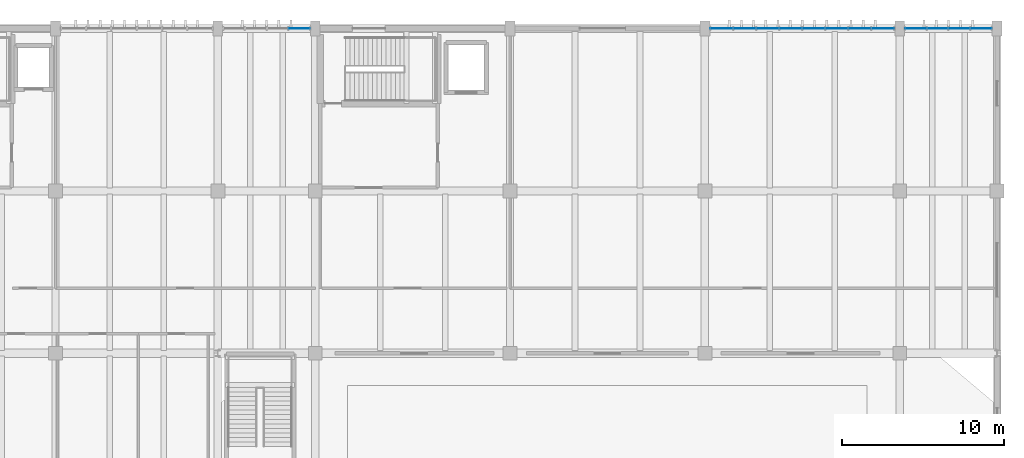
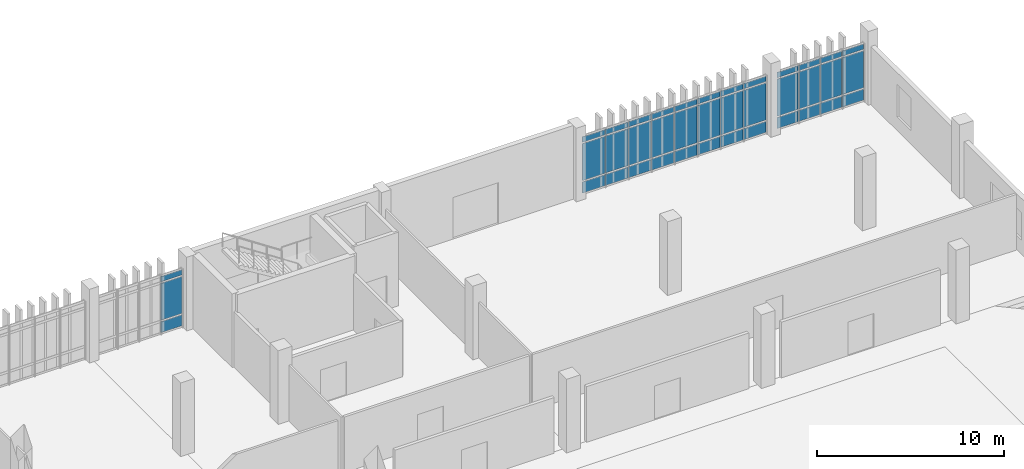
# One storey, part 68 of 87: 39 plates, 3 elements without a shape of their own.
"""IFC4 building model written with IfcOpenShell, lengths in metres."""

from ifc_helpers import new_model, si_unit, direction, frame, origin, origin_2d, place, context, subcontext, project, spatial, rectangle, extrude, material, layer, layer_set, type_object, element, aggregate, save


model = new_model("IFC4")

# Units and contexts
model_context = context("Model", 3, precision=1e-05, world=origin(), true_north=direction((0.0, 1.0)))
body_context = subcontext(model_context, "Body", "Model", "MODEL_VIEW")
ifc_project = project(units=[si_unit("LENGTHUNIT", "METRE"), si_unit("AREAUNIT", "SQUARE_METRE"), si_unit("VOLUMEUNIT", "CUBIC_METRE"), si_unit("PLANEANGLEUNIT", "RADIAN"), si_unit("MASSUNIT", "GRAM", prefix="KILO")], contexts=[model_context])

# Site, building, storey
site_placement = place(None, origin())
site = spatial("IfcSite", under=ifc_project, at=site_placement, CompositionType="ELEMENT")
building_placement = place(site_placement, origin())
building = spatial("IfcBuilding", under=site, at=building_placement, Name="Mersad Railyard Sports Hall", CompositionType="ELEMENT")
storey_placement = place(building_placement, origin())
storey = spatial("IfcBuildingStorey", under=building, at=storey_placement, Name="L00", CompositionType="ELEMENT", Elevation=0.0)

# Curtain wall, plates
ifc_material_1 = material(Name="Aluminium 6063-T6", Category="aluminium")
ifc_layer_1 = layer(ifc_material_1, 0.199951171875)
ifc_layer_set_1 = layer_set([ifc_layer_1], Name="Aluminium 6063-T6")
curtain_wall_type_1 = type_object("IfcCurtainWallType", Name="ARC-CW-CW30", PredefinedType="USERDEFINED", material=ifc_layer_set_1)
curtain_wall_1_placement = place(storey_placement, origin())
curtain_wall_1 = element("IfcCurtainWall", 1, at=curtain_wall_1_placement, inside=storey, type_object=curtain_wall_type_1, Name="Curtain wall CW30-0087", ObjectType="CURTAIN WALL", PredefinedType="USERDEFINED")
ifc_material_2 = material(Name="Solar-control glass", Category="glass")
ifc_layer_2 = layer(ifc_material_2, 0.028076171875)
ifc_layer_set_2 = layer_set([ifc_layer_2], Name="Solar-control glass")
plate_type = type_object("IfcPlateType", Name="ARC-CW-PNL01", PredefinedType="CURTAIN_PANEL", material=ifc_layer_set_2)
plate_1_placement = place(storey_placement, frame((136.010009765625, 115.0, 0.0849609375), z_axis=(0.0, 0.0, 1.0), x_axis=(1.0, 0.0, 0.0)))
plate_1 = element("IfcPlate", 2, at=plate_1_placement, type_object=plate_type, Name="CW30 Glazed panel 4-1", PredefinedType="CURTAIN_PANEL", context=body_context, shape_type="SweptSolid", body=[
    extrude(rectangle(XDim=1.2958984375, YDim=0.028076171875, at=origin_2d()), origin(), (0.0, 0.0, 1.0), 0.719970703125),
])
plate_2_placement = place(storey_placement, frame((136.010009765625, 115.0, 0.89501953125), z_axis=(0.0, 0.0, 1.0), x_axis=(1.0, 0.0, 0.0)))
plate_2 = element("IfcPlate", 3, at=plate_2_placement, type_object=plate_type, Name="CW30 Glazed panel 4-2", PredefinedType="CURTAIN_PANEL", context=body_context, shape_type="SweptSolid", body=[
    extrude(rectangle(XDim=1.2958984375, YDim=0.028076171875, at=origin_2d()), origin(), (0.0, 0.0, 1.0), 2.409912109375),
])
plate_3_placement = place(storey_placement, frame((136.010009765625, 115.0, 3.39501953125), z_axis=(0.0, 0.0, 1.0), x_axis=(1.0, 0.0, 0.0)))
plate_3 = element("IfcPlate", 4, at=plate_3_placement, type_object=plate_type, Name="CW30 Glazed panel 4-3", PredefinedType="CURTAIN_PANEL", context=body_context, shape_type="SweptSolid", body=[
    extrude(rectangle(XDim=1.2958984375, YDim=0.028076171875, at=origin_2d()), origin(), (0.0, 0.0, 1.0), 0.35009765625),
])
aggregate(curtain_wall_1, [plate_1, plate_2, plate_3])

ifc_layer_3 = layer(ifc_material_1, 0.199951171875)
ifc_layer_set_3 = layer_set([ifc_layer_3], Name="Aluminium 6063-T6")
curtain_wall_type_2 = type_object("IfcCurtainWallType", Name="ARC-CW-CW28", PredefinedType="USERDEFINED", material=ifc_layer_set_3)
curtain_wall_2_placement = place(storey_placement, origin())
curtain_wall_2 = element("IfcCurtainWall", 5, at=curtain_wall_2_placement, inside=storey, type_object=curtain_wall_type_2, Name="Curtain wall CW28-0088", ObjectType="CURTAIN WALL", PredefinedType="USERDEFINED")
plate_4_placement = place(storey_placement, frame((162.030029296875, 115.0, 0.0849609375), z_axis=(0.0, 0.0, 1.0), x_axis=(1.0, 0.0, 0.0)))
plate_4 = element("IfcPlate", 6, at=plate_4_placement, type_object=plate_type, Name="CW28 Glazed panel 1-1", PredefinedType="CURTAIN_PANEL", context=body_context, shape_type="SweptSolid", body=[
    extrude(rectangle(XDim=1.3759765625, YDim=0.028076171875, at=origin_2d()), origin(), (0.0, 0.0, 1.0), 0.719970703125),
])
plate_5_placement = place(storey_placement, frame((162.030029296875, 115.0, 0.89501953125), z_axis=(0.0, 0.0, 1.0), x_axis=(1.0, 0.0, 0.0)))
plate_5 = element("IfcPlate", 7, at=plate_5_placement, type_object=plate_type, Name="CW28 Glazed panel 1-2", PredefinedType="CURTAIN_PANEL", context=body_context, shape_type="SweptSolid", body=[
    extrude(rectangle(XDim=1.3759765625, YDim=0.028076171875, at=origin_2d()), origin(), (0.0, 0.0, 1.0), 2.409912109375),
])
plate_6_placement = place(storey_placement, frame((162.030029296875, 115.0, 3.39501953125), z_axis=(0.0, 0.0, 1.0), x_axis=(1.0, 0.0, 0.0)))
plate_6 = element("IfcPlate", 8, at=plate_6_placement, type_object=plate_type, Name="CW28 Glazed panel 1-3", PredefinedType="CURTAIN_PANEL", context=body_context, shape_type="SweptSolid", body=[
    extrude(rectangle(XDim=1.3759765625, YDim=0.028076171875, at=origin_2d()), origin(), (0.0, 0.0, 1.0), 0.35009765625),
])
plate_7_placement = place(storey_placement, frame((163.449951171875, 115.0, 0.0849609375), z_axis=(0.0, 0.0, 1.0), x_axis=(1.0, 0.0, 0.0)))
plate_7 = element("IfcPlate", 9, at=plate_7_placement, type_object=plate_type, Name="CW28 Glazed panel 2-1", PredefinedType="CURTAIN_PANEL", context=body_context, shape_type="SweptSolid", body=[
    extrude(rectangle(XDim=1.3759765625, YDim=0.028076171875, at=origin_2d()), origin(), (0.0, 0.0, 1.0), 0.719970703125),
])
plate_8_placement = place(storey_placement, frame((163.449951171875, 115.0, 0.89501953125), z_axis=(0.0, 0.0, 1.0), x_axis=(1.0, 0.0, 0.0)))
plate_8 = element("IfcPlate", 10, at=plate_8_placement, type_object=plate_type, Name="CW28 Glazed panel 2-2", PredefinedType="CURTAIN_PANEL", context=body_context, shape_type="SweptSolid", body=[
    extrude(rectangle(XDim=1.3759765625, YDim=0.028076171875, at=origin_2d()), origin(), (0.0, 0.0, 1.0), 2.409912109375),
])
plate_9_placement = place(storey_placement, frame((163.449951171875, 115.0, 3.39501953125), z_axis=(0.0, 0.0, 1.0), x_axis=(1.0, 0.0, 0.0)))
plate_9 = element("IfcPlate", 11, at=plate_9_placement, type_object=plate_type, Name="CW28 Glazed panel 2-3", PredefinedType="CURTAIN_PANEL", context=body_context, shape_type="SweptSolid", body=[
    extrude(rectangle(XDim=1.3759765625, YDim=0.028076171875, at=origin_2d()), origin(), (0.0, 0.0, 1.0), 0.35009765625),
])
plate_10_placement = place(storey_placement, frame((164.8701171875, 115.0, 0.0849609375), z_axis=(0.0, 0.0, 1.0), x_axis=(1.0, 0.0, 0.0)))
plate_10 = element("IfcPlate", 12, at=plate_10_placement, type_object=plate_type, Name="CW28 Glazed panel 3-1", PredefinedType="CURTAIN_PANEL", context=body_context, shape_type="SweptSolid", body=[
    extrude(rectangle(XDim=1.3759765625, YDim=0.028076171875, at=origin_2d()), origin(), (0.0, 0.0, 1.0), 0.719970703125),
])
plate_11_placement = place(storey_placement, frame((164.8701171875, 115.0, 0.89501953125), z_axis=(0.0, 0.0, 1.0), x_axis=(1.0, 0.0, 0.0)))
plate_11 = element("IfcPlate", 13, at=plate_11_placement, type_object=plate_type, Name="CW28 Glazed panel 3-2", PredefinedType="CURTAIN_PANEL", context=body_context, shape_type="SweptSolid", body=[
    extrude(rectangle(XDim=1.3759765625, YDim=0.028076171875, at=origin_2d()), origin(), (0.0, 0.0, 1.0), 2.409912109375),
])
plate_12_placement = place(storey_placement, frame((164.8701171875, 115.0, 3.39501953125), z_axis=(0.0, 0.0, 1.0), x_axis=(1.0, 0.0, 0.0)))
plate_12 = element("IfcPlate", 14, at=plate_12_placement, type_object=plate_type, Name="CW28 Glazed panel 3-3", PredefinedType="CURTAIN_PANEL", context=body_context, shape_type="SweptSolid", body=[
    extrude(rectangle(XDim=1.3759765625, YDim=0.028076171875, at=origin_2d()), origin(), (0.0, 0.0, 1.0), 0.35009765625),
])
plate_13_placement = place(storey_placement, frame((166.2900390625, 115.0, 0.0849609375), z_axis=(0.0, 0.0, 1.0), x_axis=(1.0, 0.0, 0.0)))
plate_13 = element("IfcPlate", 15, at=plate_13_placement, type_object=plate_type, Name="CW28 Glazed panel 4-1", PredefinedType="CURTAIN_PANEL", context=body_context, shape_type="SweptSolid", body=[
    extrude(rectangle(XDim=1.3759765625, YDim=0.028076171875, at=origin_2d()), origin(), (0.0, 0.0, 1.0), 0.719970703125),
])
plate_14_placement = place(storey_placement, frame((166.2900390625, 115.0, 0.89501953125), z_axis=(0.0, 0.0, 1.0), x_axis=(1.0, 0.0, 0.0)))
plate_14 = element("IfcPlate", 16, at=plate_14_placement, type_object=plate_type, Name="CW28 Glazed panel 4-2", PredefinedType="CURTAIN_PANEL", context=body_context, shape_type="SweptSolid", body=[
    extrude(rectangle(XDim=1.3759765625, YDim=0.028076171875, at=origin_2d()), origin(), (0.0, 0.0, 1.0), 2.409912109375),
])
plate_15_placement = place(storey_placement, frame((166.2900390625, 115.0, 3.39501953125), z_axis=(0.0, 0.0, 1.0), x_axis=(1.0, 0.0, 0.0)))
plate_15 = element("IfcPlate", 17, at=plate_15_placement, type_object=plate_type, Name="CW28 Glazed panel 4-3", PredefinedType="CURTAIN_PANEL", context=body_context, shape_type="SweptSolid", body=[
    extrude(rectangle(XDim=1.3759765625, YDim=0.028076171875, at=origin_2d()), origin(), (0.0, 0.0, 1.0), 0.35009765625),
])
plate_16_placement = place(storey_placement, frame((167.7099609375, 115.0, 0.0849609375), z_axis=(0.0, 0.0, 1.0), x_axis=(1.0, 0.0, 0.0)))
plate_16 = element("IfcPlate", 18, at=plate_16_placement, type_object=plate_type, Name="CW28 Glazed panel 5-1", PredefinedType="CURTAIN_PANEL", context=body_context, shape_type="SweptSolid", body=[
    extrude(rectangle(XDim=1.3759765625, YDim=0.028076171875, at=origin_2d()), origin(), (0.0, 0.0, 1.0), 0.719970703125),
])
plate_17_placement = place(storey_placement, frame((167.7099609375, 115.0, 0.89501953125), z_axis=(0.0, 0.0, 1.0), x_axis=(1.0, 0.0, 0.0)))
plate_17 = element("IfcPlate", 19, at=plate_17_placement, type_object=plate_type, Name="CW28 Glazed panel 5-2", PredefinedType="CURTAIN_PANEL", context=body_context, shape_type="SweptSolid", body=[
    extrude(rectangle(XDim=1.3759765625, YDim=0.028076171875, at=origin_2d()), origin(), (0.0, 0.0, 1.0), 2.409912109375),
])
plate_18_placement = place(storey_placement, frame((167.7099609375, 115.0, 3.39501953125), z_axis=(0.0, 0.0, 1.0), x_axis=(1.0, 0.0, 0.0)))
plate_18 = element("IfcPlate", 20, at=plate_18_placement, type_object=plate_type, Name="CW28 Glazed panel 5-3", PredefinedType="CURTAIN_PANEL", context=body_context, shape_type="SweptSolid", body=[
    extrude(rectangle(XDim=1.3759765625, YDim=0.028076171875, at=origin_2d()), origin(), (0.0, 0.0, 1.0), 0.35009765625),
])
plate_19_placement = place(storey_placement, frame((169.1298828125, 115.0, 0.0849609375), z_axis=(0.0, 0.0, 1.0), x_axis=(1.0, 0.0, 0.0)))
plate_19 = element("IfcPlate", 21, at=plate_19_placement, type_object=plate_type, Name="CW28 Glazed panel 6-1", PredefinedType="CURTAIN_PANEL", context=body_context, shape_type="SweptSolid", body=[
    extrude(rectangle(XDim=1.3759765625, YDim=0.028076171875, at=origin_2d()), origin(), (0.0, 0.0, 1.0), 0.719970703125),
])
plate_20_placement = place(storey_placement, frame((169.1298828125, 115.0, 0.89501953125), z_axis=(0.0, 0.0, 1.0), x_axis=(1.0, 0.0, 0.0)))
plate_20 = element("IfcPlate", 22, at=plate_20_placement, type_object=plate_type, Name="CW28 Glazed panel 6-2", PredefinedType="CURTAIN_PANEL", context=body_context, shape_type="SweptSolid", body=[
    extrude(rectangle(XDim=1.3759765625, YDim=0.028076171875, at=origin_2d()), origin(), (0.0, 0.0, 1.0), 2.409912109375),
])
plate_21_placement = place(storey_placement, frame((169.1298828125, 115.0, 3.39501953125), z_axis=(0.0, 0.0, 1.0), x_axis=(1.0, 0.0, 0.0)))
plate_21 = element("IfcPlate", 23, at=plate_21_placement, type_object=plate_type, Name="CW28 Glazed panel 6-3", PredefinedType="CURTAIN_PANEL", context=body_context, shape_type="SweptSolid", body=[
    extrude(rectangle(XDim=1.3759765625, YDim=0.028076171875, at=origin_2d()), origin(), (0.0, 0.0, 1.0), 0.35009765625),
])
plate_22_placement = place(storey_placement, frame((170.550048828125, 115.0, 0.0849609375), z_axis=(0.0, 0.0, 1.0), x_axis=(1.0, 0.0, 0.0)))
plate_22 = element("IfcPlate", 24, at=plate_22_placement, type_object=plate_type, Name="CW28 Glazed panel 7-1", PredefinedType="CURTAIN_PANEL", context=body_context, shape_type="SweptSolid", body=[
    extrude(rectangle(XDim=1.3759765625, YDim=0.028076171875, at=origin_2d()), origin(), (0.0, 0.0, 1.0), 0.719970703125),
])
plate_23_placement = place(storey_placement, frame((170.550048828125, 115.0, 0.89501953125), z_axis=(0.0, 0.0, 1.0), x_axis=(1.0, 0.0, 0.0)))
plate_23 = element("IfcPlate", 25, at=plate_23_placement, type_object=plate_type, Name="CW28 Glazed panel 7-2", PredefinedType="CURTAIN_PANEL", context=body_context, shape_type="SweptSolid", body=[
    extrude(rectangle(XDim=1.3759765625, YDim=0.028076171875, at=origin_2d()), origin(), (0.0, 0.0, 1.0), 2.409912109375),
])
plate_24_placement = place(storey_placement, frame((170.550048828125, 115.0, 3.39501953125), z_axis=(0.0, 0.0, 1.0), x_axis=(1.0, 0.0, 0.0)))
plate_24 = element("IfcPlate", 26, at=plate_24_placement, type_object=plate_type, Name="CW28 Glazed panel 7-3", PredefinedType="CURTAIN_PANEL", context=body_context, shape_type="SweptSolid", body=[
    extrude(rectangle(XDim=1.3759765625, YDim=0.028076171875, at=origin_2d()), origin(), (0.0, 0.0, 1.0), 0.35009765625),
])
plate_25_placement = place(storey_placement, frame((171.969970703125, 115.0, 0.0849609375), z_axis=(0.0, 0.0, 1.0), x_axis=(1.0, 0.0, 0.0)))
plate_25 = element("IfcPlate", 27, at=plate_25_placement, type_object=plate_type, Name="CW28 Glazed panel 8-1", PredefinedType="CURTAIN_PANEL", context=body_context, shape_type="SweptSolid", body=[
    extrude(rectangle(XDim=1.3759765625, YDim=0.028076171875, at=origin_2d()), origin(), (0.0, 0.0, 1.0), 0.719970703125),
])
plate_26_placement = place(storey_placement, frame((171.969970703125, 115.0, 0.89501953125), z_axis=(0.0, 0.0, 1.0), x_axis=(1.0, 0.0, 0.0)))
plate_26 = element("IfcPlate", 28, at=plate_26_placement, type_object=plate_type, Name="CW28 Glazed panel 8-2", PredefinedType="CURTAIN_PANEL", context=body_context, shape_type="SweptSolid", body=[
    extrude(rectangle(XDim=1.3759765625, YDim=0.028076171875, at=origin_2d()), origin(), (0.0, 0.0, 1.0), 2.409912109375),
])
plate_27_placement = place(storey_placement, frame((171.969970703125, 115.0, 3.39501953125), z_axis=(0.0, 0.0, 1.0), x_axis=(1.0, 0.0, 0.0)))
plate_27 = element("IfcPlate", 29, at=plate_27_placement, type_object=plate_type, Name="CW28 Glazed panel 8-3", PredefinedType="CURTAIN_PANEL", context=body_context, shape_type="SweptSolid", body=[
    extrude(rectangle(XDim=1.3759765625, YDim=0.028076171875, at=origin_2d()), origin(), (0.0, 0.0, 1.0), 0.35009765625),
])
aggregate(curtain_wall_2, [plate_4, plate_5, plate_6, plate_7, plate_8, plate_9, plate_10, plate_11, plate_12, plate_13, plate_14, plate_15, plate_16, plate_17, plate_18, plate_19, plate_20, plate_21, plate_22, plate_23, plate_24, plate_25, plate_26, plate_27])

curtain_wall_3_placement = place(storey_placement, origin())
curtain_wall_3 = element("IfcCurtainWall", 30, at=curtain_wall_3_placement, inside=storey, type_object=curtain_wall_type_1, Name="Curtain wall CW30-0089", ObjectType="CURTAIN WALL", PredefinedType="USERDEFINED")
plate_28_placement = place(storey_placement, frame((173.989990234375, 115.0, 0.0849609375), z_axis=(0.0, 0.0, 1.0), x_axis=(1.0, 0.0, 0.0)))
plate_28 = element("IfcPlate", 31, at=plate_28_placement, type_object=plate_type, Name="CW30 Glazed panel 1-1", PredefinedType="CURTAIN_PANEL", context=body_context, shape_type="SweptSolid", body=[
    extrude(rectangle(XDim=1.2958984375, YDim=0.028076171875, at=origin_2d()), origin(), (0.0, 0.0, 1.0), 0.719970703125),
])
plate_29_placement = place(storey_placement, frame((173.989990234375, 115.0, 0.89501953125), z_axis=(0.0, 0.0, 1.0), x_axis=(1.0, 0.0, 0.0)))
plate_29 = element("IfcPlate", 32, at=plate_29_placement, type_object=plate_type, Name="CW30 Glazed panel 1-2", PredefinedType="CURTAIN_PANEL", context=body_context, shape_type="SweptSolid", body=[
    extrude(rectangle(XDim=1.2958984375, YDim=0.028076171875, at=origin_2d()), origin(), (0.0, 0.0, 1.0), 2.409912109375),
])
plate_30_placement = place(storey_placement, frame((173.989990234375, 115.0, 3.39501953125), z_axis=(0.0, 0.0, 1.0), x_axis=(1.0, 0.0, 0.0)))
plate_30 = element("IfcPlate", 33, at=plate_30_placement, type_object=plate_type, Name="CW30 Glazed panel 1-3", PredefinedType="CURTAIN_PANEL", context=body_context, shape_type="SweptSolid", body=[
    extrude(rectangle(XDim=1.2958984375, YDim=0.028076171875, at=origin_2d()), origin(), (0.0, 0.0, 1.0), 0.35009765625),
])
plate_31_placement = place(storey_placement, frame((175.330078125, 115.0, 0.0849609375), z_axis=(0.0, 0.0, 1.0), x_axis=(1.0, 0.0, 0.0)))
plate_31 = element("IfcPlate", 34, at=plate_31_placement, type_object=plate_type, Name="CW30 Glazed panel 2-1", PredefinedType="CURTAIN_PANEL", context=body_context, shape_type="SweptSolid", body=[
    extrude(rectangle(XDim=1.2958984375, YDim=0.028076171875, at=origin_2d()), origin(), (0.0, 0.0, 1.0), 0.719970703125),
])
plate_32_placement = place(storey_placement, frame((175.330078125, 115.0, 0.89501953125), z_axis=(0.0, 0.0, 1.0), x_axis=(1.0, 0.0, 0.0)))
plate_32 = element("IfcPlate", 35, at=plate_32_placement, type_object=plate_type, Name="CW30 Glazed panel 2-2", PredefinedType="CURTAIN_PANEL", context=body_context, shape_type="SweptSolid", body=[
    extrude(rectangle(XDim=1.2958984375, YDim=0.028076171875, at=origin_2d()), origin(), (0.0, 0.0, 1.0), 2.409912109375),
])
plate_33_placement = place(storey_placement, frame((175.330078125, 115.0, 3.39501953125), z_axis=(0.0, 0.0, 1.0), x_axis=(1.0, 0.0, 0.0)))
plate_33 = element("IfcPlate", 36, at=plate_33_placement, type_object=plate_type, Name="CW30 Glazed panel 2-3", PredefinedType="CURTAIN_PANEL", context=body_context, shape_type="SweptSolid", body=[
    extrude(rectangle(XDim=1.2958984375, YDim=0.028076171875, at=origin_2d()), origin(), (0.0, 0.0, 1.0), 0.35009765625),
])
plate_34_placement = place(storey_placement, frame((176.669921875, 115.0, 0.0849609375), z_axis=(0.0, 0.0, 1.0), x_axis=(1.0, 0.0, 0.0)))
plate_34 = element("IfcPlate", 37, at=plate_34_placement, type_object=plate_type, Name="CW30 Glazed panel 3-1", PredefinedType="CURTAIN_PANEL", context=body_context, shape_type="SweptSolid", body=[
    extrude(rectangle(XDim=1.2958984375, YDim=0.028076171875, at=origin_2d()), origin(), (0.0, 0.0, 1.0), 0.719970703125),
])
plate_35_placement = place(storey_placement, frame((176.669921875, 115.0, 0.89501953125), z_axis=(0.0, 0.0, 1.0), x_axis=(1.0, 0.0, 0.0)))
plate_35 = element("IfcPlate", 38, at=plate_35_placement, type_object=plate_type, Name="CW30 Glazed panel 3-2", PredefinedType="CURTAIN_PANEL", context=body_context, shape_type="SweptSolid", body=[
    extrude(rectangle(XDim=1.2958984375, YDim=0.028076171875, at=origin_2d()), origin(), (0.0, 0.0, 1.0), 2.409912109375),
])
plate_36_placement = place(storey_placement, frame((176.669921875, 115.0, 3.39501953125), z_axis=(0.0, 0.0, 1.0), x_axis=(1.0, 0.0, 0.0)))
plate_36 = element("IfcPlate", 39, at=plate_36_placement, type_object=plate_type, Name="CW30 Glazed panel 3-3", PredefinedType="CURTAIN_PANEL", context=body_context, shape_type="SweptSolid", body=[
    extrude(rectangle(XDim=1.2958984375, YDim=0.028076171875, at=origin_2d()), origin(), (0.0, 0.0, 1.0), 0.35009765625),
])
plate_37_placement = place(storey_placement, frame((178.010009765625, 115.0, 0.0849609375), z_axis=(0.0, 0.0, 1.0), x_axis=(1.0, 0.0, 0.0)))
plate_37 = element("IfcPlate", 40, at=plate_37_placement, type_object=plate_type, Name="CW30 Glazed panel 4-1", PredefinedType="CURTAIN_PANEL", context=body_context, shape_type="SweptSolid", body=[
    extrude(rectangle(XDim=1.2958984375, YDim=0.028076171875, at=origin_2d()), origin(), (0.0, 0.0, 1.0), 0.719970703125),
])
plate_38_placement = place(storey_placement, frame((178.010009765625, 115.0, 0.89501953125), z_axis=(0.0, 0.0, 1.0), x_axis=(1.0, 0.0, 0.0)))
plate_38 = element("IfcPlate", 41, at=plate_38_placement, type_object=plate_type, Name="CW30 Glazed panel 4-2", PredefinedType="CURTAIN_PANEL", context=body_context, shape_type="SweptSolid", body=[
    extrude(rectangle(XDim=1.2958984375, YDim=0.028076171875, at=origin_2d()), origin(), (0.0, 0.0, 1.0), 2.409912109375),
])
plate_39_placement = place(storey_placement, frame((178.010009765625, 115.0, 3.39501953125), z_axis=(0.0, 0.0, 1.0), x_axis=(1.0, 0.0, 0.0)))
plate_39 = element("IfcPlate", 42, at=plate_39_placement, type_object=plate_type, Name="CW30 Glazed panel 4-3", PredefinedType="CURTAIN_PANEL", context=body_context, shape_type="SweptSolid", body=[
    extrude(rectangle(XDim=1.2958984375, YDim=0.028076171875, at=origin_2d()), origin(), (0.0, 0.0, 1.0), 0.35009765625),
])
aggregate(curtain_wall_3, [plate_28, plate_29, plate_30, plate_31, plate_32, plate_33, plate_34, plate_35, plate_36, plate_37, plate_38, plate_39])

save(model, "model.ifc")
